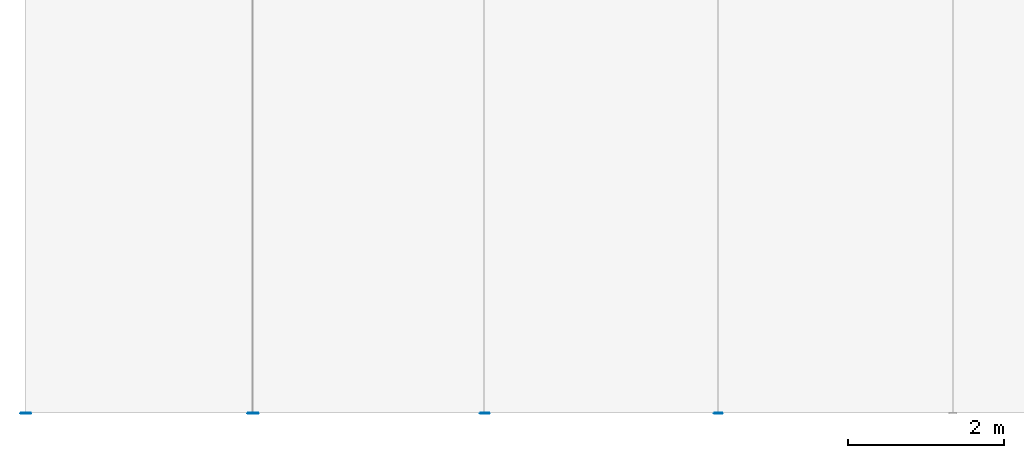
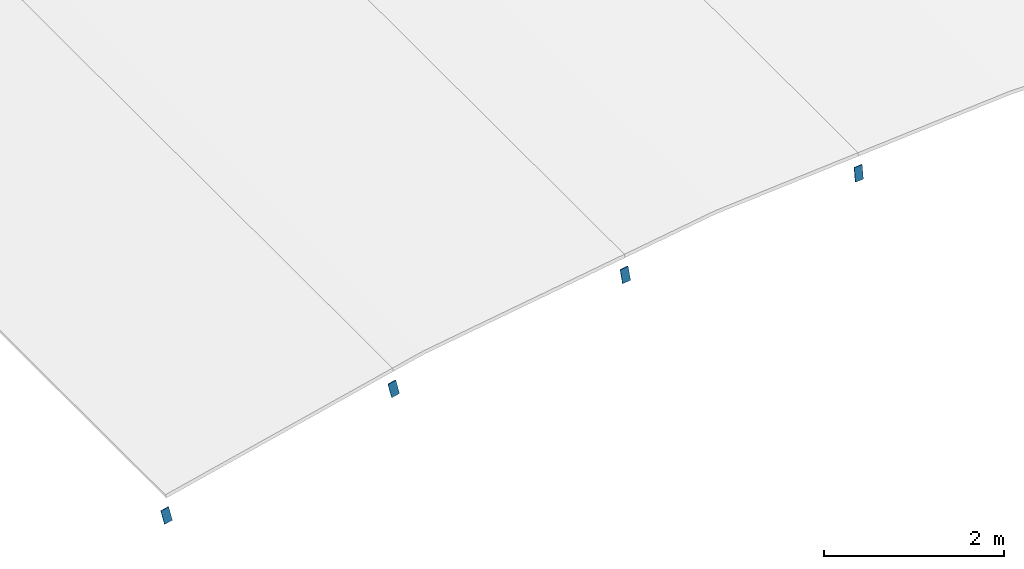
# One storey, part 1 of 13: 4 discrete accessories.
"""IFC4 building model written with IfcOpenShell, lengths in metres."""

from ifc_helpers import new_model, si_unit, direction, frame, origin, origin_2d, place, context, subcontext, project, spatial, rectangle, extrude, material, material_profile, profile_set, type_object, element, save


model = new_model("IFC4")

# Units and contexts
model_context = context("Model", 3, precision=1e-05, world=origin(), true_north=direction((0.0, 1.0)))
body_context = subcontext(model_context, "Body", "Model", "MODEL_VIEW")
ifc_project = project(units=[si_unit("LENGTHUNIT", "METRE"), si_unit("AREAUNIT", "SQUARE_METRE"), si_unit("VOLUMEUNIT", "CUBIC_METRE"), si_unit("PLANEANGLEUNIT", "RADIAN"), si_unit("MASSUNIT", "GRAM", prefix="KILO")], contexts=[model_context])

# Site, building, storey
site_placement = place(None, origin())
site = spatial("IfcSite", under=ifc_project, at=site_placement, CompositionType="ELEMENT")
building_placement = place(site_placement, origin())
building = spatial("IfcBuilding", under=site, at=building_placement, Name="Verrick Yard Athletic Hall", CompositionType="ELEMENT")
storey_placement = place(building_placement, frame((0.0, 0.0, 21.5)))
storey = spatial("IfcBuildingStorey", under=building, at=storey_placement, Name="Upper Roof", CompositionType="ELEMENT", Elevation=21.5)

# Discrete accessories
ifc_material = material(Name="Structural steel 350W (CSA G40.21)", Category="steel")
ifc_material_profile = material_profile(ifc_material, rectangle(XDim=0.1015625, YDim=0.203125, at=origin_2d()), Name="STR End cap plate 203x102x9.5")
ifc_profile_set = profile_set([ifc_material_profile], Name="Structural steel 350W (CSA G40.21)")
discrete_accessory_type = type_object("IfcDiscreteAccessoryType", Name="STR End cap plate 203x102x9.5", PredefinedType="BRACKET", material=ifc_profile_set)
for number, where, z_axis, x_axis, name in (
    (1, (48.14794921875, 71.989990234375, 1.294677734375), (0.0, 1.0, 0.0), (-0.996927304266, 0.0, -0.078332305011), "End cap HB-PU-B-1-8 A"),
    (2, (42.176025390625, 71.989990234375, 0.459228515625), (0.0, 1.0, 0.0), (-0.972458956474, 0.0, -0.23307418985), "End cap HB-PU-B-1-6 A"),
    (3, (45.150390625, 71.989990234375, 0.964599609375), (0.0, 1.0, 0.0), (-0.987728086354, 0.0, -0.156183313539), "End cap HB-PU-B-1-7 A"),
    (4, (39.2587890625, 71.989990234375, -0.239990234375), (0.0, 1.0, 0.0), (-0.972458956474, 0.0, -0.23307418985), "End cap HB-PU-B-1-5 A"),
):
    element("IfcDiscreteAccessory", number, at=place(storey_placement, frame(where, z_axis=z_axis, x_axis=x_axis)), inside=storey, type_object=discrete_accessory_type, Name=name, PredefinedType="BRACKET", context=body_context, shape_type="SweptSolid", body=[
        extrude(rectangle(XDim=0.1015625, YDim=0.203125, at=origin_2d()), origin(), (0.0, 0.0, 1.0), 0.010009765625),
    ])

save(model, "model.ifc")
